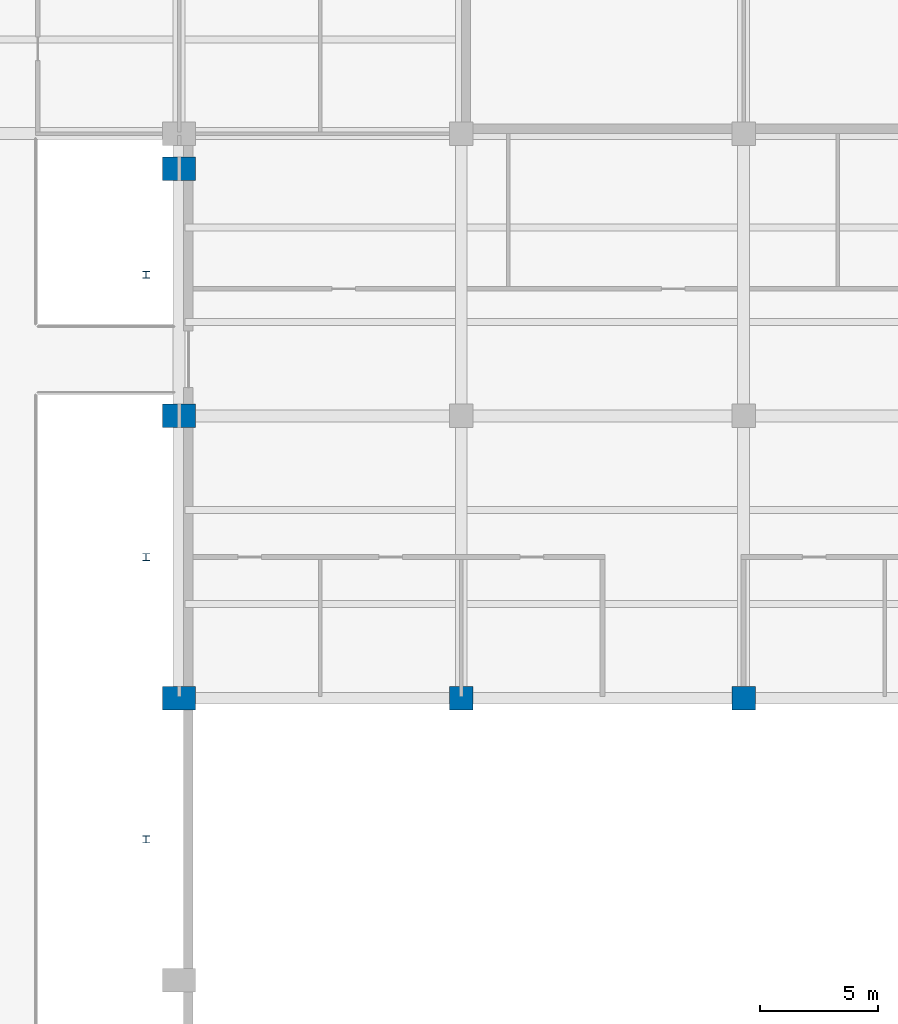
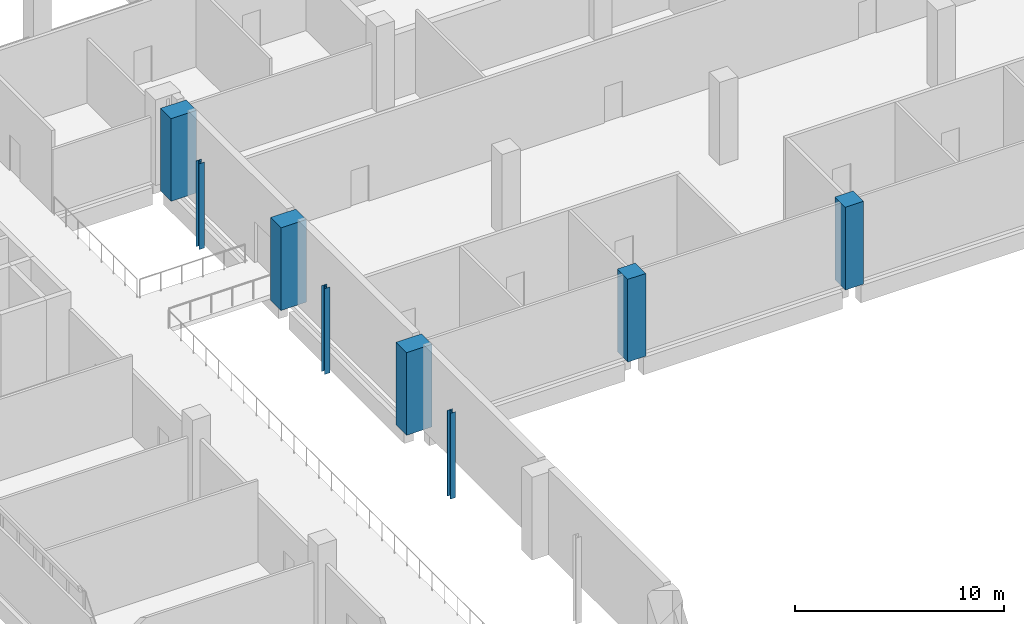
# One storey, part 10 of 69: 8 columns.
"""IFC4 building model written with IfcOpenShell, lengths in metres."""

from ifc_helpers import new_model, si_unit, direction, frame, origin, origin_2d, place, context, subcontext, project, spatial, rectangle, i_section, extrude, material, material_profile, profile_set, type_object, element, save


model = new_model("IFC4")

# Units and contexts
model_context = context("Model", 3, precision=1e-05, world=origin(), true_north=direction((0.0, 1.0)))
body_context = subcontext(model_context, "Body", "Model", "MODEL_VIEW")
ifc_project = project(units=[si_unit("LENGTHUNIT", "METRE"), si_unit("AREAUNIT", "SQUARE_METRE"), si_unit("VOLUMEUNIT", "CUBIC_METRE"), si_unit("PLANEANGLEUNIT", "RADIAN"), si_unit("MASSUNIT", "GRAM", prefix="KILO")], contexts=[model_context])

# Site, building, storey
site_placement = place(None, origin())
site = spatial("IfcSite", under=ifc_project, at=site_placement, CompositionType="ELEMENT")
building_placement = place(site_placement, origin())
building = spatial("IfcBuilding", under=site, at=building_placement, Name="Lilac Gate Convention Centre", CompositionType="ELEMENT")
storey_placement = place(building_placement, frame((0.0, 0.0, 12.0)))
storey = spatial("IfcBuildingStorey", under=building, at=storey_placement, Name="L02", CompositionType="ELEMENT", Elevation=12.0)

# Columns
ifc_material_1 = material(Name="Concrete C40", Category="concrete")
ifc_material_profile_1 = material_profile(ifc_material_1, rectangle(XDim=1.0, YDim=1.0, at=origin_2d()), Name="RC 1000x1000")
ifc_profile_set_1 = profile_set([ifc_material_profile_1], Name="Concrete C40")
column_type_1 = type_object("IfcColumnType", Name="RC column 1000x1000 C40", PredefinedType="COLUMN", material=ifc_profile_set_1)
for number, where, z_axis, x_axis, name in (
    (1, (42.0, 198.0, 0.0), (0.0, 0.0, 1.0), (1.0, 0.0, 0.0), "C1 L02 at 4/Q"),
    (2, (54.0, 198.0, 0.0), (0.0, 0.0, 1.0), (1.0, 0.0, 0.0), "C1 L02 at 5/Q"),
):
    element("IfcColumn", number, at=place(storey_placement, frame(where, z_axis=z_axis, x_axis=x_axis)), inside=storey, type_object=column_type_1, Name=name, PredefinedType="COLUMN", context=body_context, shape_type="SweptSolid", body=[
        extrude(rectangle(XDim=1.0, YDim=1.0, at=origin_2d()), origin(), (0.0, 0.0, 1.0), 4.824951171875),
    ])
ifc_material_profile_2 = material_profile(ifc_material_1, rectangle(XDim=1.39990234375, YDim=1.0, at=origin_2d()), Name="RC 1400x1000")
ifc_profile_set_2 = profile_set([ifc_material_profile_2], Name="Concrete C40")
column_type_2 = type_object("IfcColumnType", Name="RC hall column 1400x1000 C40", PredefinedType="COLUMN", material=ifc_profile_set_2)
for number, where, z_axis, x_axis, name in (
    (3, (30.0, 198.0, 0.0), (0.0, 0.0, 1.0), (1.0, 0.0, 0.0), "C2 L02 at 3/Q"),
    (4, (30.0, 210.0, 0.0), (0.0, 0.0, 1.0), (1.0, 0.0, 0.0), "C2 L02 at 3/R"),
    (5, (30.0, 220.5, 0.0), (0.0, 0.0, 1.0), (1.0, 0.0, 0.0), "C2 L02 at 30/220.5"),
):
    element("IfcColumn", number, at=place(storey_placement, frame(where, z_axis=z_axis, x_axis=x_axis)), inside=storey, type_object=column_type_2, Name=name, PredefinedType="COLUMN", context=body_context, shape_type="SweptSolid", body=[
        extrude(rectangle(XDim=1.39990234375, YDim=1.0, at=origin_2d()), origin(), (0.0, 0.0, 1.0), 4.824951171875),
    ])
ifc_material_2 = material(Name="Steel Q355B", Category="steel")
ifc_material_profile_3 = material_profile(ifc_material_2, i_section(OverallWidth=0.300048828125, OverallDepth=0.300048828125, WebThickness=0.010009765625, FlangeThickness=0.014892578125, FilletRadius=0.012939453125, at=origin_2d()), Name="HW300x300x10x15")
ifc_profile_set_3 = profile_set([ifc_material_profile_3], Name="Steel Q355B")
column_type_3 = type_object("IfcColumnType", Name="Steel column HW300x300x10x15", PredefinedType="COLUMN", material=ifc_profile_set_3)
for number, where, z_axis, x_axis, name in (
    (6, (28.60009765625, 192.0, 0.0), (0.0, 0.0, 1.0), (1.0, 0.0, 0.0), "SC1 L02 atrium column at 192"),
    (7, (28.60009765625, 204.0, 0.0), (0.0, 0.0, 1.0), (1.0, 0.0, 0.0), "SC1 L02 atrium column at 204"),
    (8, (28.60009765625, 216.0, 0.0), (0.0, 0.0, 1.0), (1.0, 0.0, 0.0), "SC1 L02 atrium column at 216"),
):
    element("IfcColumn", number, at=place(storey_placement, frame(where, z_axis=z_axis, x_axis=x_axis)), inside=storey, type_object=column_type_3, Name=name, PredefinedType="COLUMN", context=body_context, shape_type="SweptSolid", body=[
        extrude(i_section(OverallWidth=0.300048828125, OverallDepth=0.300048828125, WebThickness=0.010009765625, FlangeThickness=0.014892578125, FilletRadius=0.012939453125, at=origin_2d()), origin(), (0.0, 0.0, 1.0), 5.0),
    ])

save(model, "model.ifc")
